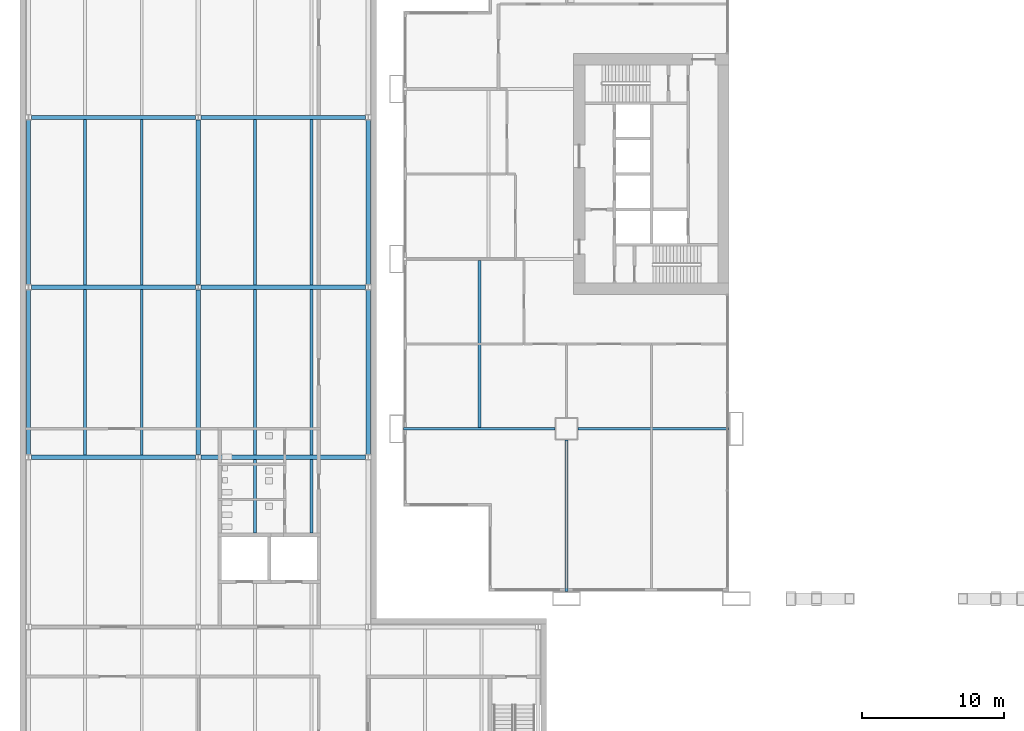
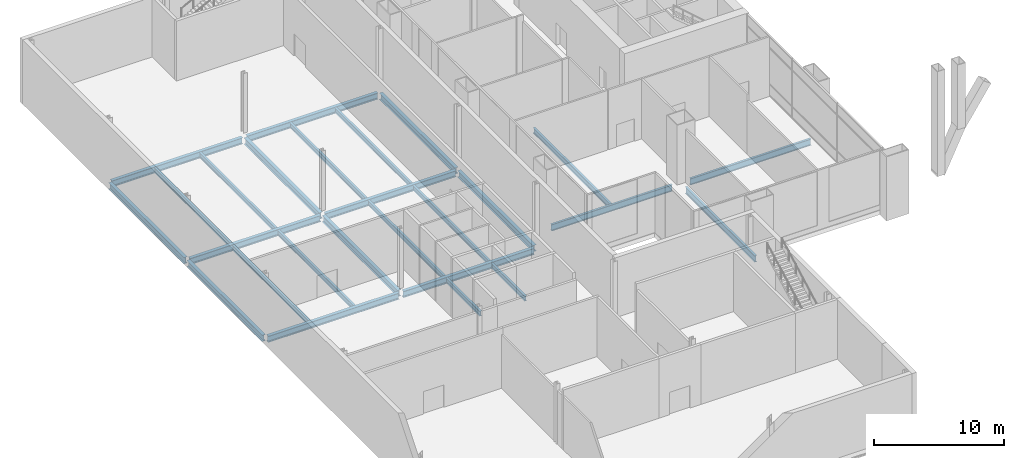
# One storey, part 8 of 25: 26 beams.
"""IFC4 building model written with IfcOpenShell, lengths in metres."""

from ifc_helpers import new_model, si_unit, direction, frame, origin, origin_2d, place, context, subcontext, project, spatial, i_section, extrude, material, material_profile, profile_set, type_object, element, save


model = new_model("IFC4")

# Units and contexts
model_context = context("Model", 3, precision=1e-05, world=origin(), true_north=direction((0.0, 1.0)))
body_context = subcontext(model_context, "Body", "Model", "MODEL_VIEW")
ifc_project = project(units=[si_unit("LENGTHUNIT", "METRE"), si_unit("AREAUNIT", "SQUARE_METRE"), si_unit("VOLUMEUNIT", "CUBIC_METRE"), si_unit("PLANEANGLEUNIT", "RADIAN"), si_unit("MASSUNIT", "GRAM", prefix="KILO")], contexts=[model_context])

# Site, building, storey
site_placement = place(None, origin())
site = spatial("IfcSite", under=ifc_project, at=site_placement, CompositionType="ELEMENT")
building_placement = place(site_placement, origin())
building = spatial("IfcBuilding", under=site, at=building_placement, Name="Kitamizu Gate Tower and Museum", CompositionType="ELEMENT")
storey_placement = place(building_placement, frame((0.0, 0.0, 12.0)))
storey = spatial("IfcBuildingStorey", under=building, at=storey_placement, Name="L02", CompositionType="ELEMENT", Elevation=12.0)

# Beams
ifc_material_1 = material(Name="Steel SM490A", Category="steel")
ifc_material_profile_1 = material_profile(ifc_material_1, i_section(OverallWidth=0.199951171875, OverallDepth=0.5, WebThickness=0.010009765625, FlangeThickness=0.01611328125, FilletRadius=0.02001953125, at=origin_2d()), Name="H-500x200x10x16")
ifc_profile_set_1 = profile_set([ifc_material_profile_1], Name="Steel SM490A")
beam_type_1 = type_object("IfcBeamType", Name="Floor beam FB1 H 500x200x10x16", PredefinedType="BEAM", material=ifc_profile_set_1)
beam_placement = place(storey_placement, frame((5.85009765625, 12.10009765625, -0.64990234375), z_axis=(0.0, 1.0, 0.0), x_axis=(-1.0, 0.0, 0.0)))
element("IfcBeam", 1, at=beam_placement, inside=storey, type_object=beam_type_1, Name="Floor beam FB1 L02-1", PredefinedType="BEAM", context=body_context, shape_type="SweptSolid", body=[
    extrude(i_section(OverallWidth=0.199951171875, OverallDepth=0.5, WebThickness=0.010009765625, FlangeThickness=0.01611328125, FilletRadius=0.02001953125, at=origin_2d()), origin(), (0.0, 0.0, 1.0), 11.7998046875),
])
ifc_material_2 = material(Name="Steel SM490A", Category="steel")
ifc_material_profile_2 = material_profile(ifc_material_2, i_section(OverallWidth=0.199951171875, OverallDepth=0.60009765625, WebThickness=0.010986328125, FlangeThickness=0.01708984375, FilletRadius=0.02197265625, at=origin_2d()), Name="H-600x200x11x17")
ifc_profile_set_2 = profile_set([ifc_material_profile_2], Name="Steel SM490A")
beam_type_2 = type_object("IfcBeamType", Name="Floor girder FG1 H 600x200x11x17", PredefinedType="BEAM", material=ifc_profile_set_2)
for number, where, z_axis, x_axis, name in (
    (2, (12.0, 0.5, -0.699951171875), (0.0, 1.0, 0.0), (-1.0, 0.0, 0.0), "Floor girder FG1 x12 L02"),
    (3, (0.5, 12.0, -0.699951171875), (1.0, 0.0, 0.0), (0.0, 1.0, 0.0), "Floor girder FG1 y12 L02"),
    (4, (12.800048828125, 12.0, -0.699951171875), (1.0, 0.0, 0.0), (0.0, 1.0, 0.0), "Floor girder FG1 y12 L02"),
):
    element("IfcBeam", number, at=place(storey_placement, frame(where, z_axis=z_axis, x_axis=x_axis)), inside=storey, type_object=beam_type_2, Name=name, PredefinedType="BEAM", context=body_context, shape_type="SweptSolid", body=[
        extrude(i_section(OverallWidth=0.199951171875, OverallDepth=0.60009765625, WebThickness=0.010986328125, FlangeThickness=0.01708984375, FilletRadius=0.02197265625, at=origin_2d()), origin(), (0.0, 0.0, 1.0), 10.699951171875),
    ])
ifc_material_3 = material(Name="Steel SS400", Category="steel")
ifc_material_profile_3 = material_profile(ifc_material_3, i_section(OverallWidth=0.300048828125, OverallDepth=0.587890625, WebThickness=0.011962890625, FlangeThickness=0.02001953125, FilletRadius=0.028076171875, at=origin_2d()), Name="H-588x300x12x20")
ifc_profile_set_3 = profile_set([ifc_material_profile_3], Name="Steel SS400")
beam_type_3 = type_object("IfcBeamType", Name="Museum girder H 588x300x12x20", PredefinedType="BEAM", material=ifc_profile_set_3)
for number, where, z_axis, x_axis, name in (
    (5, (-25.800048828125, 10.0, -0.694091796875), (1.0, 0.0, 0.0), (0.0, 1.0, 0.0), "Girder xM1M2MD"),
    (6, (-25.800048828125, 22.0, -0.694091796875), (1.0, 0.0, 0.0), (0.0, 1.0, 0.0), "Girder xM1M2ME"),
    (7, (-25.800048828125, 34.0, -0.694091796875), (1.0, 0.0, 0.0), (0.0, 1.0, 0.0), "Girder xM1M2MF"),
    (8, (-13.800048828125, 10.0, -0.694091796875), (1.0, 0.0, 0.0), (0.0, 1.0, 0.0), "Girder xM2M3MD"),
    (9, (-13.800048828125, 22.0, -0.694091796875), (1.0, 0.0, 0.0), (0.0, 1.0, 0.0), "Girder xM2M3ME"),
    (10, (-13.800048828125, 34.0, -0.694091796875), (1.0, 0.0, 0.0), (0.0, 1.0, 0.0), "Girder xM2M3MF"),
    (11, (-26.0, 10.199951171875, -0.694091796875), (0.0, 1.0, 0.0), (-1.0, 0.0, 0.0), "Girder yM1MDME"),
    (12, (-14.0, 10.199951171875, -0.694091796875), (0.0, 1.0, 0.0), (-1.0, 0.0, 0.0), "Girder yM2MDME"),
    (13, (-2.0, 10.199951171875, -0.694091796875), (0.0, 1.0, 0.0), (-1.0, 0.0, 0.0), "Girder yM3MDME"),
    (14, (-26.0, 22.199951171875, -0.694091796875), (0.0, 1.0, 0.0), (-1.0, 0.0, 0.0), "Girder yM1MEMF"),
    (15, (-14.0, 22.199951171875, -0.694091796875), (0.0, 1.0, 0.0), (-1.0, 0.0, 0.0), "Girder yM2MEMF"),
    (16, (-2.0, 22.199951171875, -0.694091796875), (0.0, 1.0, 0.0), (-1.0, 0.0, 0.0), "Girder yM3MEMF"),
):
    element("IfcBeam", number, at=place(storey_placement, frame(where, z_axis=z_axis, x_axis=x_axis)), inside=storey, type_object=beam_type_3, Name=name, PredefinedType="BEAM", context=body_context, shape_type="SweptSolid", body=[
        extrude(i_section(OverallWidth=0.300048828125, OverallDepth=0.587890625, WebThickness=0.011962890625, FlangeThickness=0.02001953125, FilletRadius=0.028076171875, at=origin_2d()), origin(), (0.0, 0.0, 1.0), 11.60009765625),
    ])
ifc_material_4 = material(Name="Steel SS400", Category="steel")
ifc_material_profile_4 = material_profile(ifc_material_4, i_section(OverallWidth=0.199951171875, OverallDepth=0.449951171875, WebThickness=0.009033203125, FlangeThickness=0.013916015625, FilletRadius=0.01806640625, at=origin_2d()), Name="H-450x200x9x14")
ifc_profile_set_4 = profile_set([ifc_material_profile_4], Name="Steel SS400")
beam_type_4 = type_object("IfcBeamType", Name="Museum secondary beam H 450x200x9x14", PredefinedType="JOIST", material=ifc_profile_set_4)
for number, where, z_axis, x_axis, name in (
    (17, (-22.0, 10.14990234375, -0.625), (0.0, 1.0, 0.0), (-1.0, 0.0, 0.0), "Secondary beam M1M2MDME.1"),
    (18, (-18.0, 10.14990234375, -0.625), (0.0, 1.0, 0.0), (-1.0, 0.0, 0.0), "Secondary beam M1M2MDME.2"),
    (19, (-22.0, 22.14990234375, -0.625), (0.0, 1.0, 0.0), (-1.0, 0.0, 0.0), "Secondary beam M1M2MEMF.1"),
    (20, (-18.0, 22.14990234375, -0.625), (0.0, 1.0, 0.0), (-1.0, 0.0, 0.0), "Secondary beam M1M2MEMF.2"),
):
    element("IfcBeam", number, at=place(storey_placement, frame(where, z_axis=z_axis, x_axis=x_axis)), inside=storey, type_object=beam_type_4, Name=name, PredefinedType="JOIST", context=body_context, shape_type="SweptSolid", body=[
        extrude(i_section(OverallWidth=0.199951171875, OverallDepth=0.449951171875, WebThickness=0.009033203125, FlangeThickness=0.013916015625, FilletRadius=0.01806640625, at=origin_2d()), origin(), (0.0, 0.0, 1.0), 11.7001953125),
    ])
for number, where, z_axis, x_axis, name in (
    (21, (-10.0, 4.625, -0.625), (0.0, 1.0, 0.0), (-1.0, 0.0, 0.0), "Secondary beam M2M3MCMD.1"),
    (22, (-6.0, 4.625, -0.625), (0.0, 1.0, 0.0), (-1.0, 0.0, 0.0), "Secondary beam M2M3MCMD.2"),
):
    element("IfcBeam", number, at=place(storey_placement, frame(where, z_axis=z_axis, x_axis=x_axis)), inside=storey, type_object=beam_type_4, Name=name, PredefinedType="JOIST", context=body_context, shape_type="SweptSolid", body=[
        extrude(i_section(OverallWidth=0.199951171875, OverallDepth=0.449951171875, WebThickness=0.009033203125, FlangeThickness=0.013916015625, FilletRadius=0.01806640625, at=origin_2d()), origin(), (0.0, 0.0, 1.0), 5.22509765625),
    ])
for number, where, z_axis, x_axis, name in (
    (23, (-10.0, 10.14990234375, -0.625), (0.0, 1.0, 0.0), (-1.0, 0.0, 0.0), "Secondary beam M2M3MDME.1"),
    (24, (-6.0, 10.14990234375, -0.625), (0.0, 1.0, 0.0), (-1.0, 0.0, 0.0), "Secondary beam M2M3MDME.2"),
    (25, (-10.0, 22.14990234375, -0.625), (0.0, 1.0, 0.0), (-1.0, 0.0, 0.0), "Secondary beam M2M3MEMF.1"),
    (26, (-6.0, 22.14990234375, -0.625), (0.0, 1.0, 0.0), (-1.0, 0.0, 0.0), "Secondary beam M2M3MEMF.2"),
):
    element("IfcBeam", number, at=place(storey_placement, frame(where, z_axis=z_axis, x_axis=x_axis)), inside=storey, type_object=beam_type_4, Name=name, PredefinedType="JOIST", context=body_context, shape_type="SweptSolid", body=[
        extrude(i_section(OverallWidth=0.199951171875, OverallDepth=0.449951171875, WebThickness=0.009033203125, FlangeThickness=0.013916015625, FilletRadius=0.01806640625, at=origin_2d()), origin(), (0.0, 0.0, 1.0), 11.7001953125),
    ])

save(model, "model.ifc")
